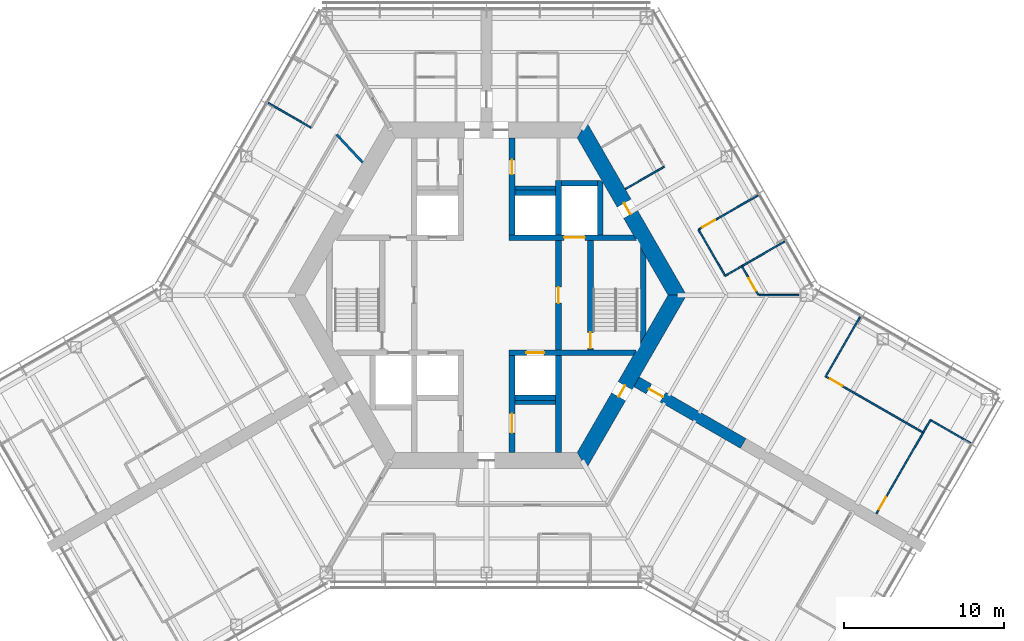
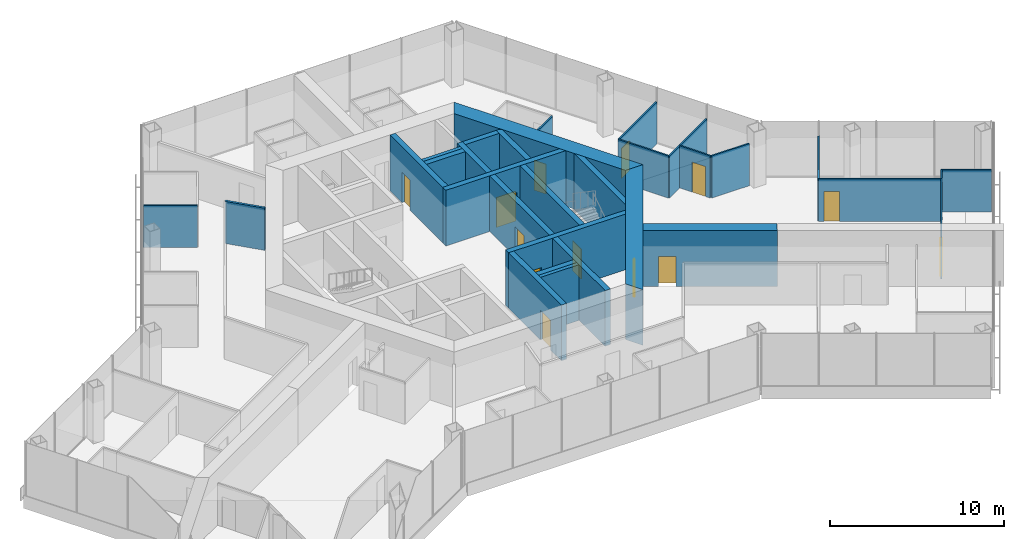
# One storey, part 14 of 18: 32 walls, 13 doors, 13 openings.
"""IFC4 building model written with IfcOpenShell, lengths in metres."""

from ifc_helpers import new_model, si_unit, direction, frame, frame_2d, origin, place, context, subcontext, project, spatial, polyline, rectangle, outline, extrude, material, layer, layer_set, type_object, element, fill, save


model = new_model("IFC4")

# Units and contexts
model_context = context("Model", 3, precision=1e-05, world=origin(), true_north=direction((0.0, 1.0)))
body_context = subcontext(model_context, "Body", "Model", "MODEL_VIEW")
ifc_project = project(units=[si_unit("LENGTHUNIT", "METRE"), si_unit("AREAUNIT", "SQUARE_METRE"), si_unit("VOLUMEUNIT", "CUBIC_METRE"), si_unit("PLANEANGLEUNIT", "RADIAN"), si_unit("MASSUNIT", "GRAM", prefix="KILO")], contexts=[model_context])

# Site, building, storey
site_placement = place(None, origin())
site = spatial("IfcSite", under=ifc_project, at=site_placement, CompositionType="ELEMENT")
building_placement = place(site_placement, origin())
building = spatial("IfcBuilding", under=site, at=building_placement, Name="Kasaneha Research Tower", CompositionType="ELEMENT")
storey_placement = place(building_placement, frame((0.0, 0.0, 183.800048828125)))
storey = spatial("IfcBuildingStorey", under=building, at=storey_placement, Name="L46", CompositionType="ELEMENT", Elevation=183.800048828125)

# Wall, opening, door
ifc_material_1 = material(Name="Concrete Fc70", Category="concrete")
ifc_layer_1 = layer(ifc_material_1, 0.35009765625)
ifc_layer_set_1 = layer_set([ifc_layer_1], Name="Core internal wall 350 Fc70")
wall_type_1 = type_object("IfcWallType", Name="Core internal wall 350 Fc70", PredefinedType="SHEAR", material=ifc_layer_set_1)
wall_1_placement = place(storey_placement, frame((1.425048828125, 3.60009765625, 0.0), z_axis=(0.0, 0.0, 1.0), x_axis=(1.0, 0.0, 0.0)))
wall_1 = element("IfcWall", 1, at=wall_1_placement, inside=storey, type_object=wall_type_1, Name="Core wall W1E L46", PredefinedType="SHEAR", context=body_context, shape_type="SweptSolid", body=[
    extrude(outline(polyline([(0.0, -0.175048828125), (3.425048828125, -0.175048828125), (4.72509765625, -0.175048828125), (7.9423828125, -0.175048828125), (7.740234375, 0.175048828125), (4.72509765625, 0.175048828125), (3.425048828125, 0.175048828125), (0.0, 0.175048828125), (0.0, -0.175048828125)])), origin(), (0.0, 0.0, 1.0), 3.89990234375),
])
opening_1_placement = place(wall_1_placement, frame((3.425048828125, 0.0, 0.0)))
opening_1 = element("IfcOpeningElement", 2, at=opening_1_placement, cuts=wall_1, Name="Opening LD-FL1-L46", PredefinedType="OPENING", context=body_context, shape_type="SweptSolid", body=[
    extrude(rectangle(XDim=1.300048828125, YDim=2.10009765625, at=frame_2d((0.64990234375, 1.050048828125))), frame((0.0, 0.18505859375, 0.0), z_axis=(0.0, -1.0, 0.0), x_axis=(1.0, 0.0, 0.0)), (0.0, 0.0, 1.0), 0.3701171875),
])
ifc_material_2 = material(Name="Steel", Category="steel")
door_type_1 = type_object("IfcDoorType", Name="Lift landing door 1300x2100", OperationType="DOUBLE_DOOR_SLIDING", PredefinedType="DOOR", material=ifc_material_2)
door_1_placement = place(opening_1_placement, origin())
door_1 = element("IfcDoor", 3, at=door_1_placement, inside=storey, type_object=door_type_1, Name="Landing door FL1 LD-FL1-L46", OperationType="DOUBLE_DOOR_SLIDING", OverallHeight=2.10009765625, OverallWidth=1.300048828125, PredefinedType="DOOR", context=body_context, shape_type="SweptSolid", body=[
    extrude(rectangle(XDim=1.300048828125, YDim=2.10009765625, at=frame_2d((0.64990234375, 1.050048828125))), frame((0.0, 0.02490234375, 0.0), z_axis=(0.0, -1.0, 0.0), x_axis=(1.0, 0.0, 0.0)), (0.0, 0.0, 1.0), 0.050048828125),
])
fill(opening_1, door_1)

wall_2_placement = place(storey_placement, frame((1.425048828125, -3.60009765625, 0.0), z_axis=(0.0, 0.0, 1.0), x_axis=(1.0, 0.0, 0.0)))
wall_2 = element("IfcWall", 4, at=wall_2_placement, inside=storey, type_object=wall_type_1, Name="Core wall W2E L46", PredefinedType="SHEAR", context=body_context, shape_type="SweptSolid", body=[
    extrude(outline(polyline([(0.0, -0.175048828125), (1.074951171875, -0.175048828125), (2.175048828125, -0.175048828125), (7.740234375, -0.175048828125), (7.9423828125, 0.175048828125), (2.175048828125, 0.175048828125), (1.074951171875, 0.175048828125), (0.0, 0.175048828125), (0.0, -0.175048828125)])), origin(), (0.0, 0.0, 1.0), 3.89990234375),
])
opening_2_placement = place(wall_2_placement, frame((1.074951171875, 0.0, 0.0)))
opening_2 = element("IfcOpeningElement", 5, at=opening_2_placement, cuts=wall_2, Name="Opening LD-LM2-L46", PredefinedType="OPENING", context=body_context, shape_type="SweptSolid", body=[
    extrude(rectangle(XDim=1.10009765625, YDim=2.10009765625, at=frame_2d((0.550048828125, 1.050048828125))), frame((0.0, 0.18505859375, 0.0), z_axis=(0.0, -1.0, 0.0), x_axis=(1.0, 0.0, 0.0)), (0.0, 0.0, 1.0), 0.3701171875),
])
ifc_material_3 = material(Name="Steel", Category="steel")
door_type_2 = type_object("IfcDoorType", Name="Lift landing door 1100x2100", OperationType="DOUBLE_DOOR_SLIDING", PredefinedType="DOOR", material=ifc_material_3)
door_2_placement = place(opening_2_placement, origin())
door_2 = element("IfcDoor", 6, at=door_2_placement, inside=storey, type_object=door_type_2, Name="Landing door LM2 LD-LM2-L46", OperationType="DOUBLE_DOOR_SLIDING", OverallHeight=2.10009765625, OverallWidth=1.10009765625, PredefinedType="DOOR", context=body_context, shape_type="SweptSolid", body=[
    extrude(rectangle(XDim=1.10009765625, YDim=2.10009765625, at=frame_2d((0.550048828125, 1.050048828125))), frame((0.0, 0.02490234375, 0.0), z_axis=(0.0, -1.0, 0.0), x_axis=(1.0, 0.0, 0.0)), (0.0, 0.0, 1.0), 0.050048828125),
])
fill(opening_2, door_2)

wall_3_placement = place(storey_placement, frame((1.60009765625, 3.77490234375, 0.0), z_axis=(0.0, 0.0, 1.0), x_axis=(0.0, 1.0, 0.0)))
wall_3 = element("IfcWall", 7, at=wall_3_placement, inside=storey, type_object=wall_type_1, Name="Core wall CNE L46", PredefinedType="SHEAR", context=body_context, shape_type="SweptSolid", body=[
    extrude(rectangle(XDim=6.050048828125, YDim=0.35009765625, at=frame_2d((3.02490234375, 0.0))), origin(), (0.0, 0.0, 1.0), 3.89990234375),
])
opening_3_placement = place(wall_3_placement, frame((3.77490234375, 0.0, 0.0)))
opening_3 = element("IfcOpeningElement", 8, at=opening_3_placement, cuts=wall_3, Name="Opening L46-D14", PredefinedType="OPENING", context=body_context, shape_type="SweptSolid", body=[
    extrude(rectangle(XDim=0.89990234375, YDim=2.10009765625, at=frame_2d((0.449951171875, 1.050048828125))), frame((0.0, 0.18505859375, 0.0), z_axis=(0.0, -1.0, 0.0), x_axis=(1.0, 0.0, 0.0)), (0.0, 0.0, 1.0), 0.3701171875),
])
ifc_material_4 = material(Name="Steel", Category="steel")
door_type_3 = type_object("IfcDoorType", Name="Toilet door FD20 900x2100", OperationType="NOTDEFINED", PredefinedType="DOOR", material=ifc_material_4)
door_3_placement = place(opening_3_placement, origin())
door_3 = element("IfcDoor", 9, at=door_3_placement, inside=storey, type_object=door_type_3, Name="Women's WC door L46-D14", OperationType="SINGLE_SWING_LEFT", OverallHeight=2.10009765625, OverallWidth=0.89990234375, PredefinedType="DOOR", context=body_context, shape_type="SweptSolid", body=[
    extrude(rectangle(XDim=0.89990234375, YDim=2.10009765625, at=frame_2d((0.449951171875, 1.050048828125))), frame((0.0, 0.02490234375, 0.0), z_axis=(0.0, -1.0, 0.0), x_axis=(1.0, 0.0, 0.0)), (0.0, 0.0, 1.0), 0.050048828125),
])
fill(opening_3, door_3)

wall_4_placement = place(storey_placement, frame((1.60009765625, -3.77490234375, 0.0), z_axis=(0.0, 0.0, 1.0), x_axis=(0.0, -1.0, 0.0)))
wall_4 = element("IfcWall", 10, at=wall_4_placement, inside=storey, type_object=wall_type_1, Name="Core wall CSE L46", PredefinedType="SHEAR", context=body_context, shape_type="SweptSolid", body=[
    extrude(rectangle(XDim=6.050048828125, YDim=0.35009765625, at=frame_2d((3.02490234375, 0.0))), origin(), (0.0, 0.0, 1.0), 3.89990234375),
])
opening_4_placement = place(wall_4_placement, frame((3.625, 0.0, 0.0)))
opening_4 = element("IfcOpeningElement", 11, at=opening_4_placement, cuts=wall_4, Name="Opening L46-D15", PredefinedType="OPENING", context=body_context, shape_type="SweptSolid", body=[
    extrude(rectangle(XDim=1.199951171875, YDim=2.10009765625, at=frame_2d((0.60009765625, 1.050048828125))), frame((0.0, 0.18505859375, 0.0), z_axis=(0.0, -1.0, 0.0), x_axis=(1.0, 0.0, 0.0)), (0.0, 0.0, 1.0), 0.3701171875),
])
ifc_material_5 = material(Name="Steel", Category="steel")
door_type_4 = type_object("IfcDoorType", Name="Accessible toilet sliding door FD20 1200x2100", OperationType="SLIDING_TO_LEFT", PredefinedType="DOOR", material=ifc_material_5)
door_4_placement = place(opening_4_placement, origin())
door_4 = element("IfcDoor", 12, at=door_4_placement, inside=storey, type_object=door_type_4, Name="Accessible WC door L46-D15", OperationType="SLIDING_TO_LEFT", OverallHeight=2.10009765625, OverallWidth=1.199951171875, PredefinedType="DOOR", context=body_context, shape_type="SweptSolid", body=[
    extrude(rectangle(XDim=1.199951171875, YDim=2.10009765625, at=frame_2d((0.60009765625, 1.050048828125))), frame((0.0, 0.02490234375, 0.0), z_axis=(0.0, -1.0, 0.0), x_axis=(1.0, 0.0, 0.0)), (0.0, 0.0, 1.0), 0.050048828125),
])
fill(opening_4, door_4)

wall_5_placement = place(storey_placement, frame((4.5, -3.425048828125, 0.0), z_axis=(0.0, 0.0, 1.0), x_axis=(0.0, 1.0, 0.0)))
wall_5 = element("IfcWall", 13, at=wall_5_placement, inside=storey, type_object=wall_type_1, Name="Core wall LBE L46", PredefinedType="SHEAR", context=body_context, shape_type="SweptSolid", body=[
    extrude(rectangle(XDim=6.85009765625, YDim=0.35009765625, at=frame_2d((3.425048828125, 0.0))), origin(), (0.0, 0.0, 1.0), 3.89990234375),
])
opening_5_placement = place(wall_5_placement, frame((2.925048828125, 0.0, 0.0)))
opening_5 = element("IfcOpeningElement", 14, at=opening_5_placement, cuts=wall_5, Name="Opening L46-D08", PredefinedType="OPENING", context=body_context, shape_type="SweptSolid", body=[
    extrude(rectangle(XDim=1.0, YDim=2.10009765625, at=frame_2d((0.5, 1.050048828125))), frame((0.0, 0.18505859375, 0.0), z_axis=(0.0, -1.0, 0.0), x_axis=(1.0, 0.0, 0.0)), (0.0, 0.0, 1.0), 0.3701171875),
])
ifc_material_6 = material(Name="Steel", Category="steel")
door_type_5 = type_object("IfcDoorType", Name="Specified fire door FD60 1000x2100", OperationType="NOTDEFINED", PredefinedType="DOOR", material=ifc_material_6)
door_5_placement = place(opening_5_placement, origin())
door_5 = element("IfcDoor", 15, at=door_5_placement, inside=storey, type_object=door_type_5, Name="Lift lobby door east L46-D08", OperationType="SINGLE_SWING_LEFT", OverallHeight=2.10009765625, OverallWidth=1.0, PredefinedType="DOOR", context=body_context, shape_type="SweptSolid", body=[
    extrude(rectangle(XDim=1.0, YDim=2.10009765625, at=frame_2d((0.5, 1.050048828125))), frame((0.0, 0.02490234375, 0.0), z_axis=(0.0, -1.0, 0.0), x_axis=(1.0, 0.0, 0.0)), (0.0, 0.0, 1.0), 0.050048828125),
])
fill(opening_5, door_5)

wall_6_placement = place(storey_placement, frame((6.5, -3.425048828125, 0.0), z_axis=(0.0, 0.0, 1.0), x_axis=(0.0, 1.0, 0.0)))
wall_6 = element("IfcWall", 16, at=wall_6_placement, inside=storey, type_object=wall_type_1, Name="Core wall ANE L46", PredefinedType="SHEAR", context=body_context, shape_type="SweptSolid", body=[
    extrude(rectangle(XDim=6.85009765625, YDim=0.35009765625, at=frame_2d((3.425048828125, 0.0))), origin(), (0.0, 0.0, 1.0), 3.89990234375),
])
opening_6_placement = place(wall_6_placement, frame((0.10009765625, 0.0, 0.0)))
opening_6 = element("IfcOpeningElement", 17, at=opening_6_placement, cuts=wall_6, Name="Opening L46-D10", PredefinedType="OPENING", context=body_context, shape_type="SweptSolid", body=[
    extrude(rectangle(XDim=1.0, YDim=2.10009765625, at=frame_2d((0.5, 1.050048828125))), frame((0.0, 0.18505859375, 0.0), z_axis=(0.0, -1.0, 0.0), x_axis=(1.0, 0.0, 0.0)), (0.0, 0.0, 1.0), 0.3701171875),
])
door_6_placement = place(opening_6_placement, origin())
door_6 = element("IfcDoor", 18, at=door_6_placement, inside=storey, type_object=door_type_5, Name="Stair 1 door L46-D10", OperationType="SINGLE_SWING_LEFT", OverallHeight=2.10009765625, OverallWidth=1.0, PredefinedType="DOOR", context=body_context, shape_type="SweptSolid", body=[
    extrude(rectangle(XDim=1.0, YDim=2.10009765625, at=frame_2d((0.5, 1.050048828125))), frame((0.0, 0.02490234375, 0.0), z_axis=(0.0, -1.0, 0.0), x_axis=(1.0, 0.0, 0.0)), (0.0, 0.0, 1.0), 0.050048828125),
])
fill(opening_6, door_6)

# Walls
wall_7_placement = place(storey_placement, frame((4.5, 3.77490234375, 0.0), z_axis=(0.0, 0.0, 1.0), x_axis=(0.0, 1.0, 0.0)))
element("IfcWall", 19, at=wall_7_placement, inside=storey, type_object=wall_type_1, Name="Core wall FNE L46", PredefinedType="SHEAR", context=body_context, shape_type="SweptSolid", body=[
    extrude(rectangle(XDim=3.400146484375, YDim=0.35009765625, at=frame_2d((1.7001953125, 0.0))), origin(), (0.0, 0.0, 1.0), 3.89990234375),
])
wall_8_placement = place(storey_placement, frame((4.5, -3.77490234375, 0.0), z_axis=(0.0, 0.0, 1.0), x_axis=(0.0, -1.0, 0.0)))
element("IfcWall", 20, at=wall_8_placement, inside=storey, type_object=wall_type_1, Name="Core wall SSE L46", PredefinedType="SHEAR", context=body_context, shape_type="SweptSolid", body=[
    extrude(rectangle(XDim=6.050048828125, YDim=0.35009765625, at=frame_2d((3.02490234375, 0.0))), origin(), (0.0, 0.0, 1.0), 3.89990234375),
])
for number, where, z_axis, x_axis, name in (
    (21, (1.77490234375, 6.39990234375, 0.0), (0.0, 0.0, 1.0), (1.0, 0.0, 0.0), "Core wall N3N L46"),
    (22, (1.77490234375, -6.39990234375, 0.0), (0.0, 0.0, 1.0), (1.0, 0.0, 0.0), "Core wall S3S L46"),
):
    element("IfcWall", number, at=place(storey_placement, frame(where, z_axis=z_axis, x_axis=x_axis)), inside=storey, type_object=wall_type_1, Name=name, PredefinedType="SHEAR", context=body_context, shape_type="SweptSolid", body=[
        extrude(rectangle(XDim=2.550048828125, YDim=0.35009765625, at=frame_2d((1.27490234375, 0.0))), origin(), (0.0, 0.0, 1.0), 3.89990234375),
    ])
wall_9_placement = place(storey_placement, frame((4.675048828125, 7.0, 0.0), z_axis=(0.0, 0.0, 1.0), x_axis=(1.0, 0.0, 0.0)))
element("IfcWall", 23, at=wall_9_placement, inside=storey, type_object=wall_type_1, Name="Core wall F1N L46", PredefinedType="SHEAR", context=body_context, shape_type="SweptSolid", body=[
    extrude(rectangle(XDim=2.25, YDim=0.35009765625, at=frame_2d((1.125, 0.0))), origin(), (0.0, 0.0, 1.0), 3.89990234375),
])
wall_10_placement = place(storey_placement, frame((7.10009765625, 3.77490234375, 0.0), z_axis=(0.0, 0.0, 1.0), x_axis=(0.0, 1.0, 0.0)))
element("IfcWall", 24, at=wall_10_placement, inside=storey, type_object=wall_type_1, Name="Core wall F1E L46", PredefinedType="SHEAR", context=body_context, shape_type="SweptSolid", body=[
    extrude(outline(polyline([(0.0, -0.175048828125), (3.2744140625, -0.175048828125), (3.400146484375, 0.0), (3.400146484375, 0.175048828125), (0.0, 0.175048828125), (0.0, -0.175048828125)])), origin(), (0.0, 0.0, 1.0), 3.89990234375),
])
wall_11_placement = place(storey_placement, frame((9.807861328125, -2.662353515625, 0.0), z_axis=(0.0, 0.0, 1.0), x_axis=(0.0, 1.0, 0.0)))
element("IfcWall", 25, at=wall_11_placement, inside=storey, type_object=wall_type_1, Name="Core wall STE L46", PredefinedType="SHEAR", context=body_context, shape_type="SweptSolid", body=[
    extrude(outline(polyline([(0.30322265625, -0.175048828125), (5.021484375, -0.175048828125), (5.6279296875, 0.175048828125), (-0.30322265625, 0.175048828125), (0.30322265625, -0.175048828125)])), origin(), (0.0, 0.0, 1.0), 3.89990234375),
])

# Wall, opening, door
ifc_material_7 = material(Name="Concrete Fc70", Category="concrete")
ifc_layer_2 = layer(ifc_material_7, 1.0)
ifc_layer_set_2 = layer_set([ifc_layer_2], Name="Core wall 1000 Fc70")
wall_type_2 = type_object("IfcWallType", Name="Core wall 1000 Fc70", PredefinedType="SHEAR", material=ifc_layer_set_2)
wall_12_placement = place(storey_placement, frame((11.92236328125, 0.0, 0.0), z_axis=(0.0, 0.0, 1.0), x_axis=(-0.500004296715, 0.866022923061, 0.0)))
wall_12 = element("IfcWall", 26, at=wall_12_placement, inside=storey, type_object=wall_type_2, Name="Core wall 030 L46", PredefinedType="SHEAR", context=body_context, shape_type="SweptSolid", body=[
    extrude(outline(polyline([(-0.28857421875, -0.5), (5.83544921875, -0.5), (6.635498046875, -0.5), (12.2109375, -0.5), (11.6337890625, 0.5), (6.635498046875, 0.5), (5.83544921875, 0.5), (0.28857421875, 0.5), (-0.28857421875, -0.5)])), origin(), (0.0, 0.0, 1.0), 3.89990234375),
])
opening_7_placement = place(wall_12_placement, frame((5.83544921875, 0.0, 0.0)))
opening_7 = element("IfcOpeningElement", 27, at=opening_7_placement, cuts=wall_12, Name="Opening L46-D04", PredefinedType="OPENING", context=body_context, shape_type="SweptSolid", body=[
    extrude(rectangle(XDim=0.800048828125, YDim=2.10009765625, at=frame_2d((0.39990234375, 1.050048828125))), frame((0.0, 0.510009765625, 0.0), z_axis=(0.0, -1.0, 0.0), x_axis=(1.0, 0.0, 0.0)), (0.0, 0.0, 1.0), 1.02001953125),
])
ifc_material_8 = material(Name="Steel", Category="steel")
door_type_6 = type_object("IfcDoorType", Name="Riser access door FD60 800x2100", OperationType="NOTDEFINED", PredefinedType="DOOR", material=ifc_material_8)
door_7_placement = place(opening_7_placement, origin())
door_7 = element("IfcDoor", 28, at=door_7_placement, inside=storey, type_object=door_type_6, Name="Pipe riser door L46-D04", OperationType="SINGLE_SWING_RIGHT", OverallHeight=2.10009765625, OverallWidth=0.800048828125, PredefinedType="DOOR", context=body_context, shape_type="SweptSolid", body=[
    extrude(rectangle(XDim=0.800048828125, YDim=2.10009765625, at=frame_2d((0.39990234375, 1.050048828125))), frame((0.0, 0.02490234375, 0.0), z_axis=(0.0, -1.0, 0.0), x_axis=(1.0, 0.0, 0.0)), (0.0, 0.0, 1.0), 0.050048828125),
])
fill(opening_7, door_7)

wall_13_placement = place(storey_placement, frame((5.961181640625, -10.324951171875, 0.0), z_axis=(0.0, 0.0, 1.0), x_axis=(0.500004296715, 0.866022923061, 0.0)))
wall_13 = element("IfcWall", 29, at=wall_13_placement, inside=storey, type_object=wall_type_2, Name="Core wall 330 L46", PredefinedType="SHEAR", context=body_context, shape_type="SweptSolid", body=[
    extrude(outline(polyline([(-0.28857421875, -0.5), (4.593994140625, -0.5), (5.39404296875, -0.5), (12.2109375, -0.5), (11.6337890625, 0.5), (5.39404296875, 0.5), (4.593994140625, 0.5), (0.28857421875, 0.5), (-0.28857421875, -0.5)])), origin(), (0.0, 0.0, 1.0), 3.89990234375),
])
opening_8_placement = place(wall_13_placement, frame((4.593994140625, 0.0, 0.0)))
opening_8 = element("IfcOpeningElement", 30, at=opening_8_placement, cuts=wall_13, Name="Opening L46-D05", PredefinedType="OPENING", context=body_context, shape_type="SweptSolid", body=[
    extrude(rectangle(XDim=0.800048828125, YDim=2.10009765625, at=frame_2d((0.39990234375, 1.050048828125))), frame((0.0, 0.510009765625, 0.0), z_axis=(0.0, -1.0, 0.0), x_axis=(1.0, 0.0, 0.0)), (0.0, 0.0, 1.0), 1.02001953125),
])
door_8_placement = place(opening_8_placement, origin())
door_8 = element("IfcDoor", 31, at=door_8_placement, inside=storey, type_object=door_type_6, Name="Pipe riser door L46-D05", OperationType="SINGLE_SWING_LEFT", OverallHeight=2.10009765625, OverallWidth=0.800048828125, PredefinedType="DOOR", context=body_context, shape_type="SweptSolid", body=[
    extrude(rectangle(XDim=0.800048828125, YDim=2.10009765625, at=frame_2d((0.39990234375, 1.050048828125))), frame((0.0, 0.02490234375, 0.0), z_axis=(0.0, -1.0, 0.0), x_axis=(1.0, 0.0, 0.0)), (0.0, 0.0, 1.0), 0.050048828125),
])
fill(opening_8, door_8)

# Walls
ifc_material_9 = material(Name="Gypsum board on steel studs, one layer each side", Category="steel")
ifc_layer_3 = layer(ifc_material_9, 0.10009765625)
ifc_layer_set_3 = layer_set([ifc_layer_3], Name="Office partition 100")
wall_type_3 = type_object("IfcWallType", Name="Office partition 100", PredefinedType="PARTITIONING", material=ifc_layer_set_3)
wall_14_placement = place(storey_placement, frame((11.099609375, 8.02490234375, 0.0), z_axis=(0.0, 0.0, 1.0), x_axis=(-0.866056901187, -0.49994544093, 0.0)))
element("IfcWall", 32, at=wall_14_placement, inside=storey, type_object=wall_type_3, Name="Office partition FAE09 L46", PredefinedType="PARTITIONING", context=body_context, shape_type="SweptSolid", body=[
    extrude(rectangle(XDim=2.780029296875, YDim=0.10009765625, at=frame_2d((1.39013671875, 0.0))), origin(), (0.0, 0.0, 1.0), 2.949951171875),
])
wall_15_placement = place(storey_placement, frame((18.619873046875, 3.3505859375, 0.0), z_axis=(0.0, 0.0, 1.0), x_axis=(-0.866043267704, -0.499969057507, 0.0)))
element("IfcWall", 33, at=wall_15_placement, inside=storey, type_object=wall_type_3, Name="Office partition FAE10 L46", PredefinedType="PARTITIONING", context=body_context, shape_type="SweptSolid", body=[
    extrude(rectangle(XDim=3.085205078125, YDim=0.10009765625, at=frame_2d((1.54248046875, 0.0))), origin(), (0.0, 0.0, 1.0), 2.949951171875),
])

# Wall, opening, door
wall_16_placement = place(storey_placement, frame((13.247802734375, 4.09521484375, 0.0), z_axis=(0.0, 0.0, 1.0), x_axis=(0.866018428791, 0.500012080849, 0.0)))
wall_16 = element("IfcWall", 34, at=wall_16_placement, inside=storey, type_object=wall_type_3, Name="Office partition FAE11 L46", PredefinedType="PARTITIONING", context=body_context, shape_type="SweptSolid", body=[
    extrude(rectangle(XDim=4.30517578125, YDim=0.10009765625, at=frame_2d((2.152587890625, 0.0))), origin(), (0.0, 0.0, 1.0), 2.949951171875),
])
opening_9_placement = place(wall_16_placement, frame((0.300048828125, 0.0, 0.0)))
opening_9 = element("IfcOpeningElement", 35, at=opening_9_placement, cuts=wall_16, Name="Opening L46-D27", PredefinedType="OPENING", context=body_context, shape_type="SweptSolid", body=[
    extrude(rectangle(XDim=0.89990234375, YDim=2.10009765625, at=frame_2d((0.449951171875, 1.050048828125))), frame((0.0, 0.06005859375, 0.0), z_axis=(0.0, -1.0, 0.0), x_axis=(1.0, 0.0, 0.0)), (0.0, 0.0, 1.0), 0.1201171875),
])
ifc_material_10 = material(Name="Timber veneer", Category="wood")
door_type_7 = type_object("IfcDoorType", Name="Office door 900x2100", OperationType="SINGLE_SWING_LEFT", PredefinedType="DOOR", material=ifc_material_10)
door_9_placement = place(opening_9_placement, origin())
door_9 = element("IfcDoor", 36, at=door_9_placement, inside=storey, type_object=door_type_7, Name="Meeting room door L46-D27", OperationType="SINGLE_SWING_LEFT", OverallHeight=2.10009765625, OverallWidth=0.89990234375, PredefinedType="DOOR", context=body_context, shape_type="SweptSolid", body=[
    extrude(rectangle(XDim=0.89990234375, YDim=2.10009765625, at=frame_2d((0.449951171875, 1.050048828125))), frame((0.0, 0.02490234375, 0.0), z_axis=(0.0, -1.0, 0.0), x_axis=(1.0, 0.0, 0.0)), (0.0, 0.0, 1.0), 0.050048828125),
])
fill(opening_9, door_9)

# Walls
wall_17_placement = place(storey_placement, frame((14.9130859375, 1.21044921875, 0.0), z_axis=(0.0, 0.0, 1.0), x_axis=(-0.499946633866, 0.866056212544, 0.0)))
element("IfcWall", 37, at=wall_17_placement, inside=storey, type_object=wall_type_3, Name="Office partition FAE12 L46", PredefinedType="PARTITIONING", context=body_context, shape_type="SweptSolid", body=[
    extrude(rectangle(XDim=3.330810546875, YDim=0.10009765625, at=frame_2d((1.66552734375, 0.0))), origin(), (0.0, 0.0, 1.0), 2.949951171875),
])
wall_18_placement = place(storey_placement, frame((15.956298828125, 1.812744140625, 0.0), z_axis=(0.0, 0.0, 1.0), x_axis=(-0.866026957163, -0.49999730946, 0.0)))
element("IfcWall", 38, at=wall_18_placement, inside=storey, type_object=wall_type_3, Name="Office partition FAE13 L46", PredefinedType="PARTITIONING", context=body_context, shape_type="SweptSolid", body=[
    extrude(rectangle(XDim=1.20458984375, YDim=0.10009765625, at=frame_2d((0.602294921875, 0.0))), origin(), (0.0, 0.0, 1.0), 2.949951171875),
])

# Wall, opening, door
wall_19_placement = place(storey_placement, frame((16.986083984375, 0.02001953125, 0.0), z_axis=(0.0, 0.0, 1.0), x_axis=(-0.498096123952, 0.867121820337, 0.0)))
wall_19 = element("IfcWall", 39, at=wall_19_placement, inside=storey, type_object=wall_type_3, Name="Office partition FAE14 L46", PredefinedType="PARTITIONING", context=body_context, shape_type="SweptSolid", body=[
    extrude(rectangle(XDim=2.0673828125, YDim=0.10009765625, at=frame_2d((1.03369140625, 0.0))), origin(), (0.0, 0.0, 1.0), 2.949951171875),
])
opening_10_placement = place(wall_19_placement, frame((0.300048828125, 0.0, 0.0)))
opening_10 = element("IfcOpeningElement", 40, at=opening_10_placement, cuts=wall_19, Name="Opening L46-D28", PredefinedType="OPENING", context=body_context, shape_type="SweptSolid", body=[
    extrude(rectangle(XDim=0.89990234375, YDim=2.10009765625, at=frame_2d((0.449951171875, 1.050048828125))), frame((0.0, 0.06005859375, 0.0), z_axis=(0.0, -1.0, 0.0), x_axis=(1.0, 0.0, 0.0)), (0.0, 0.0, 1.0), 0.1201171875),
])
door_10_placement = place(opening_10_placement, origin())
door_10 = element("IfcDoor", 41, at=door_10_placement, inside=storey, type_object=door_type_7, Name="Project room door L46-D28", OperationType="SINGLE_SWING_LEFT", OverallHeight=2.10009765625, OverallWidth=0.89990234375, PredefinedType="DOOR", context=body_context, shape_type="SweptSolid", body=[
    extrude(rectangle(XDim=0.89990234375, YDim=2.10009765625, at=frame_2d((0.449951171875, 1.050048828125))), frame((0.0, 0.02490234375, 0.0), z_axis=(0.0, -1.0, 0.0), x_axis=(1.0, 0.0, 0.0)), (0.0, 0.0, 1.0), 0.050048828125),
])
fill(opening_10, door_10)

# Walls
wall_20_placement = place(storey_placement, frame((-10.9560546875, 10.464599609375, 0.0), z_axis=(0.0, 0.0, 1.0), x_axis=(-0.866044340336, 0.499967199496, 0.0)))
element("IfcWall", 42, at=wall_20_placement, inside=storey, type_object=wall_type_3, Name="Office partition FBN13 L46", PredefinedType="PARTITIONING", context=body_context, shape_type="SweptSolid", body=[
    extrude(rectangle(XDim=3.079833984375, YDim=0.10009765625, at=frame_2d((1.5400390625, 0.0))), origin(), (0.0, 0.0, 1.0), 2.949951171875),
])
wall_21_placement = place(storey_placement, frame((27.73828125, -7.797119140625, 0.0), z_axis=(0.0, 0.0, 1.0), x_axis=(-0.504879575425, -0.863189790439, 0.0)))
element("IfcWall", 43, at=wall_21_placement, inside=storey, type_object=wall_type_3, Name="Office partition FCE01 L46", PredefinedType="PARTITIONING", context=body_context, shape_type="SweptSolid", body=[
    extrude(rectangle(XDim=0.917724609375, YDim=0.10009765625, at=frame_2d((0.458984375, 0.0))), origin(), (0.0, 0.0, 1.0), 2.949951171875),
])
wall_22_placement = place(storey_placement, frame((30.232421875, -9.23681640625, 0.0), z_axis=(0.0, 0.0, 1.0), x_axis=(-0.866069831116, 0.499923041708, 0.0)))
element("IfcWall", 44, at=wall_22_placement, inside=storey, type_object=wall_type_3, Name="Office partition FCE02 L46", PredefinedType="PARTITIONING", context=body_context, shape_type="SweptSolid", body=[
    extrude(rectangle(XDim=2.8798828125, YDim=0.10009765625, at=frame_2d((1.43994140625, 0.0))), origin(), (0.0, 0.0, 1.0), 2.949951171875),
])
wall_23_placement = place(storey_placement, frame((21.192138671875, -5.076171875, 0.0), z_axis=(0.0, 0.0, 1.0), x_axis=(0.500028586798, 0.86600889856, 0.0)))
element("IfcWall", 45, at=wall_23_placement, inside=storey, type_object=wall_type_3, Name="Office partition FCE03 L46", PredefinedType="PARTITIONING", context=body_context, shape_type="SweptSolid", body=[
    extrude(rectangle(XDim=4.280029296875, YDim=0.10009765625, at=frame_2d((2.14013671875, 0.0))), origin(), (0.0, 0.0, 1.0), 2.949951171875),
])

# Wall, opening, door
wall_24_placement = place(storey_placement, frame((27.281494140625, -8.587158203125, 0.0), z_axis=(0.0, 0.0, 1.0), x_axis=(-0.866315083588, 0.499497923867, 0.0)))
wall_24 = element("IfcWall", 46, at=wall_24_placement, inside=storey, type_object=wall_type_3, Name="Office partition FCE04 L46", PredefinedType="PARTITIONING", context=body_context, shape_type="SweptSolid", body=[
    extrude(rectangle(XDim=7.029052734375, YDim=0.10009765625, at=frame_2d((3.5146484375, 0.0))), origin(), (0.0, 0.0, 1.0), 2.949951171875),
])
opening_11_placement = place(wall_24_placement, frame((5.8291015625, 0.0, 0.0)))
opening_11 = element("IfcOpeningElement", 47, at=opening_11_placement, cuts=wall_24, Name="Opening L46-D41", PredefinedType="OPENING", context=body_context, shape_type="SweptSolid", body=[
    extrude(rectangle(XDim=0.89990234375, YDim=2.10009765625, at=frame_2d((0.449951171875, 1.050048828125))), frame((0.0, 0.06005859375, 0.0), z_axis=(0.0, -1.0, 0.0), x_axis=(1.0, 0.0, 0.0)), (0.0, 0.0, 1.0), 0.1201171875),
])
door_11_placement = place(opening_11_placement, origin())
door_11 = element("IfcDoor", 48, at=door_11_placement, inside=storey, type_object=door_type_7, Name="Large meeting room door L46-D41", OperationType="SINGLE_SWING_RIGHT", OverallHeight=2.10009765625, OverallWidth=0.89990234375, PredefinedType="DOOR", context=body_context, shape_type="SweptSolid", body=[
    extrude(rectangle(XDim=0.89990234375, YDim=2.10009765625, at=frame_2d((0.449951171875, 1.050048828125))), frame((0.0, 0.02490234375, 0.0), z_axis=(0.0, -1.0, 0.0), x_axis=(1.0, 0.0, 0.0)), (0.0, 0.0, 1.0), 0.050048828125),
])
fill(opening_11, door_11)

wall_25_placement = place(storey_placement, frame((24.364990234375, -13.639892578125, 0.0), z_axis=(0.0, 0.0, 1.0), x_axis=(0.499991719831, 0.86603018429, 0.0)))
wall_25 = element("IfcWall", 49, at=wall_25_placement, inside=storey, type_object=wall_type_3, Name="Office partition FCE05 L46", PredefinedType="PARTITIONING", context=body_context, shape_type="SweptSolid", body=[
    extrude(rectangle(XDim=5.833984375, YDim=0.10009765625, at=frame_2d((2.9169921875, 0.0))), origin(), (0.0, 0.0, 1.0), 2.949951171875),
])
opening_12_placement = place(wall_25_placement, frame((0.300048828125, 0.0, 0.0)))
opening_12 = element("IfcOpeningElement", 50, at=opening_12_placement, cuts=wall_25, Name="Opening L46-D42", PredefinedType="OPENING", context=body_context, shape_type="SweptSolid", body=[
    extrude(rectangle(XDim=0.89990234375, YDim=2.10009765625, at=frame_2d((0.449951171875, 1.050048828125))), frame((0.0, 0.06005859375, 0.0), z_axis=(0.0, -1.0, 0.0), x_axis=(1.0, 0.0, 0.0)), (0.0, 0.0, 1.0), 0.1201171875),
])
door_12_placement = place(opening_12_placement, origin())
door_12 = element("IfcDoor", 51, at=door_12_placement, inside=storey, type_object=door_type_7, Name="Manager's office door L46-D42", OperationType="SINGLE_SWING_LEFT", OverallHeight=2.10009765625, OverallWidth=0.89990234375, PredefinedType="DOOR", context=body_context, shape_type="SweptSolid", body=[
    extrude(rectangle(XDim=0.89990234375, YDim=2.10009765625, at=frame_2d((0.449951171875, 1.050048828125))), frame((0.0, 0.02490234375, 0.0), z_axis=(0.0, -1.0, 0.0), x_axis=(1.0, 0.0, 0.0)), (0.0, 0.0, 1.0), 0.050048828125),
])
fill(opening_12, door_12)

# Wall
wall_26_placement = place(storey_placement, frame((19.5185546875, 0.0, 0.0), z_axis=(0.0, 0.0, 1.0), x_axis=(-1.0, 0.0, 0.0)))
element("IfcWall", 52, at=wall_26_placement, inside=storey, type_object=wall_type_3, Name="Office partition closer PT5 L46", PredefinedType="PARTITIONING", context=body_context, shape_type="SweptSolid", body=[
    extrude(rectangle(XDim=2.477783203125, YDim=0.10009765625, at=frame_2d((1.23876953125, 0.0))), origin(), (0.0, 0.0, 1.0), 2.949951171875),
])

# Wall, opening, door
ifc_material_11 = material(Name="Concrete Fc70", Category="concrete")
ifc_layer_4 = layer(ifc_material_11, 0.699951171875)
ifc_layer_set_4 = layer_set([ifc_layer_4], Name="Spine wall 700 Fc70")
wall_type_4 = type_object("IfcWallType", Name="Spine wall 700 Fc70", PredefinedType="SHEAR", material=ifc_layer_set_4)
wall_27_placement = place(storey_placement, frame((9.374755859375, -5.41259765625, 0.0), z_axis=(0.0, 0.0, 1.0), x_axis=(0.866032377459, -0.499987921047, 0.0)))
wall_27 = element("IfcWall", 53, at=wall_27_placement, inside=storey, type_object=wall_type_4, Name="Spine wall C L46", PredefinedType="SHEAR", context=body_context, shape_type="SweptSolid", body=[
    extrude(rectangle(XDim=7.695556640625, YDim=0.699951171875, at=frame_2d((3.84765625, 0.0))), origin(), (0.0, 0.0, 1.0), 3.89990234375),
])
opening_13_placement = place(wall_27_placement, frame((0.89990234375, 0.0, 0.0)))
opening_13 = element("IfcOpeningElement", 54, at=opening_13_placement, cuts=wall_27, Name="Opening L46-D19", PredefinedType="OPENING", context=body_context, shape_type="SweptSolid", body=[
    extrude(rectangle(XDim=1.0, YDim=2.10009765625, at=frame_2d((0.5, 1.050048828125))), frame((0.0, 0.35986328125, 0.0), z_axis=(0.0, -1.0, 0.0), x_axis=(1.0, 0.0, 0.0)), (0.0, 0.0, 1.0), 0.719970703125),
])
door_13_placement = place(opening_13_placement, origin())
door_13 = element("IfcDoor", 55, at=door_13_placement, inside=storey, type_object=door_type_5, Name="Spine doorway C L46-D19", OperationType="SINGLE_SWING_LEFT", OverallHeight=2.10009765625, OverallWidth=1.0, PredefinedType="DOOR", context=body_context, shape_type="SweptSolid", body=[
    extrude(rectangle(XDim=1.0, YDim=2.10009765625, at=frame_2d((0.5, 1.050048828125))), frame((0.0, 0.02490234375, 0.0), z_axis=(0.0, -1.0, 0.0), x_axis=(1.0, 0.0, 0.0)), (0.0, 0.0, 1.0), 0.050048828125),
])
fill(opening_13, door_13)

# Walls
ifc_material_12 = material(Name="Gypsum board on steel studs, two layers each side", Category="steel")
ifc_layer_5 = layer(ifc_material_12, 0.14990234375)
ifc_layer_set_5 = layer_set([ifc_layer_5], Name="Suite partition 150")
wall_type_5 = type_object("IfcWallType", Name="Suite partition 150", PredefinedType="PARTITIONING", material=ifc_layer_set_5)
wall_28_placement = place(storey_placement, frame((-9.360107421875, 10.03759765625, 0.0), z_axis=(0.0, 0.0, 1.0), x_axis=(0.681997114248, -0.731354863358, 0.0)))
element("IfcWall", 56, at=wall_28_placement, inside=storey, type_object=wall_type_5, Name="Suite partition FBN04 L46", PredefinedType="PARTITIONING", context=body_context, shape_type="SweptSolid", body=[
    extrude(outline(polyline([(0.0, -0.074951171875), (2.384033203125, -0.074951171875), (2.384033203125, 0.0), (2.382080078125, 0.074951171875), (0.0, 0.074951171875), (0.0, -0.074951171875)])), origin(), (0.0, 0.0, 1.0), 2.949951171875),
])
ifc_material_13 = material(Name="Concrete block lining", Category="concrete")
ifc_layer_6 = layer(ifc_material_13, 0.25)
ifc_layer_set_6 = layer_set([ifc_layer_6], Name="WC plumbing wall 250")
wall_type_6 = type_object("IfcWallType", Name="WC plumbing wall 250", PredefinedType="PLUMBINGWALL", material=ifc_layer_set_6)
for number, where, z_axis, x_axis, name in (
    (57, (1.77490234375, 6.699951171875, 0.0), (0.0, 0.0, 1.0), (1.0, 0.0, 0.0), "WC plumbing wall F L46"),
    (58, (1.77490234375, -6.699951171875, 0.0), (0.0, 0.0, 1.0), (1.0, 0.0, 0.0), "WC plumbing wall A L46"),
):
    element("IfcWall", number, at=place(storey_placement, frame(where, z_axis=z_axis, x_axis=x_axis)), inside=storey, type_object=wall_type_6, Name=name, PredefinedType="PLUMBINGWALL", context=body_context, shape_type="SweptSolid", body=[
        extrude(rectangle(XDim=2.550048828125, YDim=0.25, at=frame_2d((1.27490234375, 0.0))), origin(), (0.0, 0.0, 1.0), 3.89990234375),
    ])

save(model, "model.ifc")
